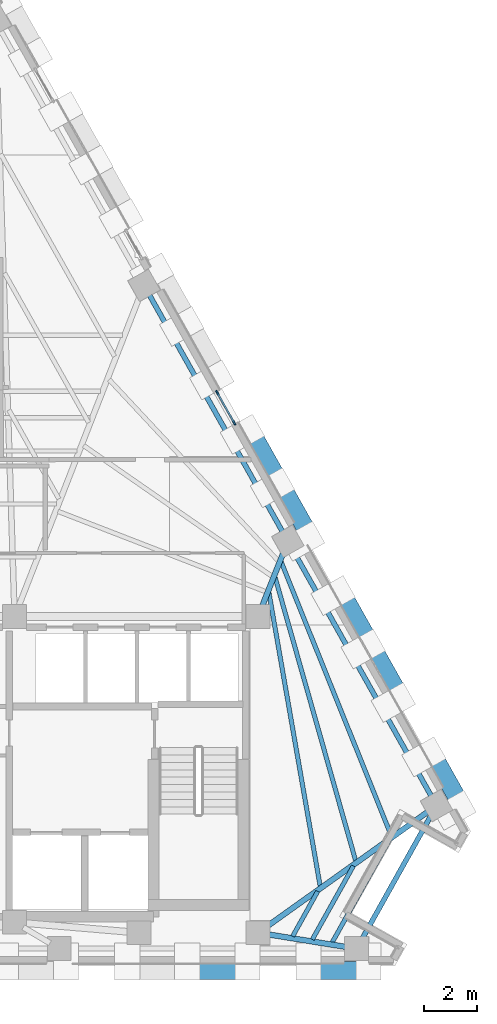
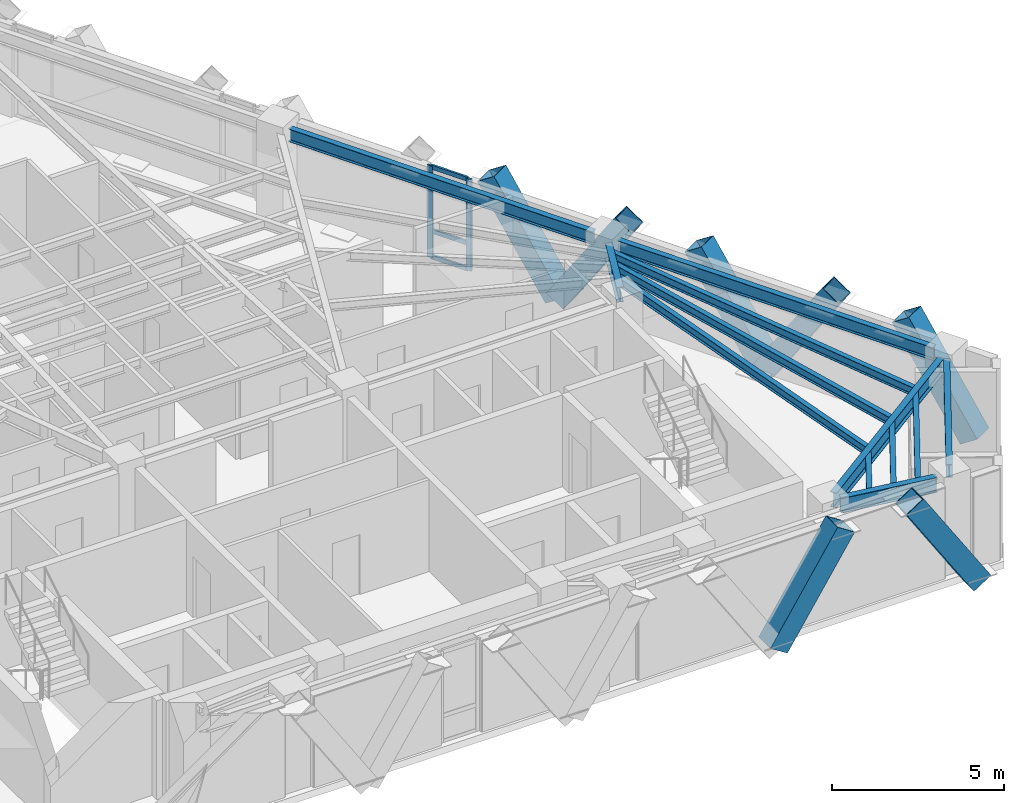
# One storey, part 4 of 12: 12 beams, 12 members, 1 element without a shape of its own.
"""IFC4 building model written with IfcOpenShell, lengths in metres."""

import ifcopenshell
import ifcopenshell.guid

model = None  # the IFC model being written
_history = None  # IfcOwnerHistory: only IFC2X3 demands one
_inside = {}  # id of a spatial element -> (the spatial element, [elements in it])
_under = {}  # id of a project, library or spatial element -> (it, [spatial elements below it])
_declared = {}  # id of a project -> (the project, [libraries it declares])
_typed = {}  # id of a type object -> (the type object, [elements of that type])
_made_of = {}  # id of a material, layer set ... -> (it, [elements and type objects made of it])


def new_model(schema):
    """Start an empty IFC model of exactly this schema.

    Asked for "IFC4X3", IfcOpenShell would pick the latest addendum, in which some entities
    have other attributes; the version numbers below select the first issue.
    IFC2X3 requires an IfcOwnerHistory on every rooted entity: one is made here for all.
    """
    global model, _history
    if schema == "IFC4X3":
        model = ifcopenshell.file(schema_version=(4, 3, 0, 0))
    else:
        model = ifcopenshell.file(schema=schema)
    _inside.clear()
    _under.clear()
    _declared.clear()
    _typed.clear()
    _made_of.clear()
    _history = None
    if model.schema == "IFC2X3":
        org = make("IfcOrganization", Name="unknown")
        user = make(
            "IfcPersonAndOrganization",
            ThePerson=make("IfcPerson", FamilyName="unknown"),
            TheOrganization=org,
        )
        app = make(
            "IfcApplication",
            ApplicationDeveloper=org,
            Version="unknown",
            ApplicationFullName="unknown",
            ApplicationIdentifier="unknown",
        )
        _history = make(
            "IfcOwnerHistory",
            OwningUser=user,
            OwningApplication=app,
            ChangeAction="ADDED",
            CreationDate=0,
        )
    return model


def make(cls, **values):
    """One entity of the class cls with the attributes given. An attribute that is None is left unset."""
    return model.create_entity(
        cls, **{name: value for name, value in values.items() if value is not None}
    )


def rooted(cls, **values):
    """An entity with a GlobalId (a new one), such as an element, a storey or a relation."""
    return make(cls, GlobalId=ifcopenshell.guid.new(), OwnerHistory=_history, **values)


def si_unit(unit_type, name, prefix=None):
    """IfcSIUnit, for example si_unit("LENGTHUNIT", "METRE", prefix="MILLI")."""
    return make("IfcSIUnit", UnitType=unit_type, Prefix=prefix, Name=name)


def assignment(units):
    """IfcUnitAssignment: the units of a project."""
    return None if units is None else make("IfcUnitAssignment", Units=units)


def point(xyz):
    """IfcCartesianPoint."""
    return None if xyz is None else make("IfcCartesianPoint", Coordinates=xyz)


def direction(xyz):
    """IfcDirection."""
    return None if xyz is None else make("IfcDirection", DirectionRatios=xyz)


def frame(location, z_axis=None, x_axis=None):
    """IfcAxis2Placement3D, a coordinate frame: its origin and axes. An axis left out is left unset."""
    return make(
        "IfcAxis2Placement3D",
        Location=point(location),
        Axis=direction(z_axis),
        RefDirection=direction(x_axis),
    )


def frame_2d(location, x_axis=None):
    """IfcAxis2Placement2D, a coordinate frame in the plane: its origin and x axis."""
    return make(
        "IfcAxis2Placement2D", Location=point(location), RefDirection=direction(x_axis)
    )


def origin():
    """The frame at (0, 0, 0) with its axes left unset."""
    return frame((0.0, 0.0, 0.0))


def origin_2d():
    """The frame at (0, 0) in the plane with its x axis left unset."""
    return frame_2d((0.0, 0.0))


def place(relative_to, where):
    """IfcLocalPlacement: puts the frame where relative to a parent placement (None: the world)."""
    return make(
        "IfcLocalPlacement", PlacementRelTo=relative_to, RelativePlacement=where
    )


def context(
    kind, dimensions, precision=None, world=None, true_north=None, identifier=None
):
    """IfcGeometricRepresentationContext, for example the 3D "Model" context."""
    return make(
        "IfcGeometricRepresentationContext",
        ContextIdentifier=identifier,
        ContextType=kind,
        CoordinateSpaceDimension=dimensions,
        Precision=precision,
        WorldCoordinateSystem=world,
        TrueNorth=true_north,
    )


def subcontext(parent, identifier, kind, view, scale=None):
    """IfcGeometricRepresentationSubContext, for example "Body" below "Model"."""
    return make(
        "IfcGeometricRepresentationSubContext",
        ContextIdentifier=identifier,
        ContextType=kind,
        ParentContext=parent,
        TargetScale=scale,
        TargetView=view,
    )


def project(units=None, contexts=None):
    """IfcProject with its units and contexts."""
    return rooted(
        "IfcProject",
        Name="project",
        RepresentationContexts=contexts,
        UnitsInContext=assignment(units),
    )


def spatial(cls, under=None, at=None, **own):
    """A site, building, storey or space (cls), placed at a placement, below another one or the project."""
    s = rooted(cls, ObjectPlacement=at, **own)
    if under is not None:
        _under.setdefault(under.id(), (under, []))[1].append(s)
    return s


def profile(cls, at=None, kind="AREA", **sizes):
    """A parametric profile (cls). Its sizes go by their IFC names, for example OverallWidth=200.0."""
    return make(cls, ProfileType=kind, Position=at, **sizes)


def rectangle(**sizes):
    """IfcRectangleProfileDef."""
    return profile("IfcRectangleProfileDef", **sizes)


def hollow_rectangle(**sizes):
    """IfcRectangleHollowProfileDef."""
    return profile("IfcRectangleHollowProfileDef", **sizes)


def i_section(**sizes):
    """IfcIShapeProfileDef."""
    return profile("IfcIShapeProfileDef", **sizes)


def extrude(swept, where, along, depth):
    """IfcExtrudedAreaSolid: the profile swept, set in the frame where, extruded along a direction by depth."""
    return make(
        "IfcExtrudedAreaSolid",
        SweptArea=swept,
        Position=where,
        ExtrudedDirection=direction(along),
        Depth=depth,
    )


def shape(context_of_items, identifier, shape_type, items):
    """IfcShapeRepresentation: the items that make up one representation, for example the "Body"."""
    return make(
        "IfcShapeRepresentation",
        ContextOfItems=context_of_items,
        RepresentationIdentifier=identifier,
        RepresentationType=shape_type,
        Items=items,
    )


def material(Name=None, Category=None):
    """IfcMaterial."""
    return make("IfcMaterial", Name=Name, Category=Category)


def material_profile(
    of_material, cross_section, Name=None, Category=None, Priority=None
):
    """IfcMaterialProfile: a cross section and its material."""
    return make(
        "IfcMaterialProfile",
        Name=Name,
        Material=of_material,
        Profile=cross_section,
        Priority=Priority,
        Category=Category,
    )


def profile_set(profiles, Name=None, composite=None):
    """IfcMaterialProfileSet."""
    return make(
        "IfcMaterialProfileSet",
        Name=Name,
        MaterialProfiles=profiles,
        CompositeProfile=composite,
    )


def made_of(thing, what):
    """Note that an element or type object is made of a material, layer set ...; save() writes the relation."""
    if what is not None:
        _made_of.setdefault(what.id(), (what, []))[1].append(thing)
    return thing


def type_object(cls, material=None, **own):
    """A type object (cls), such as IfcWallType, which elements share."""
    return made_of(rooted(cls, **own), material)


def element(
    cls,
    number,
    at=None,
    inside=None,
    cuts=None,
    type_object=None,
    material=None,
    context=None,
    identifier="Body",
    shape_type=None,
    held_by="IfcProductDefinitionShape",
    body=None,
    shapes=None,
    **own,
):
    """One element of the class cls, such as IfcWall. Its Tag is "e" and its number.

    at: its placement. inside: the storey or other place that contains it. cuts: it is an
    opening in that element (IfcRelVoidsElement). A single representation is given by context,
    identifier, shape_type and body (its items); several are given by shapes. held_by: the class
    of the entity that holds the representations. save() writes the other relations.
    """
    e = rooted(cls, Tag="e%d" % number, ObjectPlacement=at, **own)
    if body is not None:
        shapes = [shape(context, identifier, shape_type, body)]
    if shapes is not None:
        e.Representation = make(held_by, Representations=shapes)
    if inside is not None:
        _inside.setdefault(inside.id(), (inside, []))[1].append(e)
    if cuts is not None:
        rooted(
            "IfcRelVoidsElement", RelatingBuildingElement=cuts, RelatedOpeningElement=e
        )
    if type_object is not None:
        _typed.setdefault(type_object.id(), (type_object, []))[1].append(e)
    return made_of(e, material)


def aggregate(whole, parts):
    """IfcRelAggregates: a whole, such as a stair, and the parts it consists of."""
    return rooted("IfcRelAggregates", RelatingObject=whole, RelatedObjects=parts)


def save(model, path):
    """Write the relations noted so far, then the file.

    IfcRelAggregates (storeys below a building ...), IfcRelContainedInSpatialStructure (elements
    in a storey), IfcRelDefinesByType, IfcRelAssociatesMaterial and IfcRelDeclares: one each for
    every whole, place, type object, material and project.
    """
    for whole, parts in _under.values():
        aggregate(whole, parts)
    for where, things in _inside.values():
        rooted(
            "IfcRelContainedInSpatialStructure",
            RelatedElements=things,
            RelatingStructure=where,
        )
    for kind, things in _typed.values():
        rooted("IfcRelDefinesByType", RelatedObjects=things, RelatingType=kind)
    for what, things in _made_of.values():
        rooted("IfcRelAssociatesMaterial", RelatedObjects=things, RelatingMaterial=what)
    for by, libraries in _declared.values():
        rooted("IfcRelDeclares", RelatingContext=by, RelatedDefinitions=libraries)
    model.write(path)


model = new_model("IFC4")

# Units and contexts
model_context = context("Model", 3, precision=1e-05, world=origin(), true_north=direction((0.0, 1.0)))
body_context = subcontext(model_context, "Body", "Model", "MODEL_VIEW")
ifc_project = project(units=[si_unit("LENGTHUNIT", "METRE"), si_unit("AREAUNIT", "SQUARE_METRE"), si_unit("VOLUMEUNIT", "CUBIC_METRE"), si_unit("PLANEANGLEUNIT", "RADIAN"), si_unit("MASSUNIT", "GRAM", prefix="KILO")], contexts=[model_context])

# Site, building, storey
site_placement = place(None, origin())
site = spatial("IfcSite", under=ifc_project, at=site_placement, CompositionType="ELEMENT")
building_placement = place(site_placement, origin())
building = spatial("IfcBuilding", under=site, at=building_placement, Name="Quenlor Broadcast Tower", CompositionType="ELEMENT")
storey_placement = place(building_placement, frame((0.0, 0.0, 221.89990234375)))
storey = spatial("IfcBuildingStorey", under=building, at=storey_placement, Name="L61", CompositionType="ELEMENT", Elevation=221.89990234375)

# Curtain wall, members
ifc_material_1 = material(Name="Architectural Terracotta and Low-E Glazing", Category="masonry")
curtain_wall_type = type_object("IfcCurtainWallType", Name="Unitised Terracotta Curtain Wall System Z4", PredefinedType="NOTDEFINED", material=ifc_material_1)
curtain_wall_placement = place(storey_placement, origin())
curtain_wall = element("IfcCurtainWall", 1, at=curtain_wall_placement, inside=storey, type_object=curtain_wall_type, Name="L61 Curtain Wall CW4 (L61-NE-G1)", PredefinedType="NOTDEFINED")
ifc_material_2 = material(Name="Aluminium 6063-T6", Category="aluminium")
ifc_material_profile_1 = material_profile(ifc_material_2, rectangle(XDim=0.068115234375, YDim=0.179931640625, at=origin_2d()))
ifc_profile_set_1 = profile_set([ifc_material_profile_1], Name="Aluminium 6063-T6 MULL68x180")
member_type_1 = type_object("IfcMemberType", Name="CW4 Aluminium Mullion MULL_CW4", PredefinedType="MULLION", material=ifc_profile_set_1)
member_1_placement = place(storey_placement, frame((11.408203125, 3.65966796875, 0.0), z_axis=(0.0, 0.0, 1.0), x_axis=(0.871560008943, 0.490288844266, 0.0)))
member_1 = element("IfcMember", 2, at=member_1_placement, type_object=member_type_1, Name="CW4 mullion 1", PredefinedType="MULLION", context=body_context, shape_type="SweptSolid", body=[
    extrude(rectangle(XDim=0.068115234375, YDim=0.179931640625, at=origin_2d()), origin(), (0.0, 0.0, 1.0), 3.25),
])
member_2_placement = place(storey_placement, frame((12.049560546875, 2.519775390625, 0.0), z_axis=(0.0, 0.0, 1.0), x_axis=(0.871560008943, 0.490288844266, 0.0)))
member_2 = element("IfcMember", 3, at=member_2_placement, type_object=member_type_1, Name="CW4 mullion 2", PredefinedType="MULLION", context=body_context, shape_type="SweptSolid", body=[
    extrude(rectangle(XDim=0.068115234375, YDim=0.179931640625, at=origin_2d()), origin(), (0.0, 0.0, 1.0), 3.25),
])
ifc_material_3 = material(Name="Aluminium 6063-T6", Category="aluminium")
ifc_material_profile_2 = material_profile(ifc_material_3, rectangle(XDim=0.068115234375, YDim=0.14990234375, at=origin_2d()))
ifc_profile_set_2 = profile_set([ifc_material_profile_2], Name="Aluminium 6063-T6 TRAN68x150")
member_type_2 = type_object("IfcMemberType", Name="CW4 Aluminium Transom TRAN_CW4", PredefinedType="USERDEFINED", material=ifc_profile_set_2)
member_3_placement = place(storey_placement, frame((11.425048828125, 3.630126953125, 0.0341796875), z_axis=(0.490233197009, -0.871591310506, 0.0), x_axis=(0.871591310506, 0.490233197009, 0.0)))
member_3 = element("IfcMember", 4, at=member_3_placement, type_object=member_type_2, Name="CW4 transom 1.1", ObjectType="TRANSOM", PredefinedType="USERDEFINED", context=body_context, shape_type="SweptSolid", body=[
    extrude(rectangle(XDim=0.068115234375, YDim=0.14990234375, at=origin_2d()), origin(), (0.0, 0.0, 1.0), 1.239990234375),
])
member_4_placement = place(storey_placement, frame((11.425048828125, 3.630126953125, 0.9501953125), z_axis=(0.490233197009, -0.871591310506, 0.0), x_axis=(0.871591310506, 0.490233197009, 0.0)))
member_4 = element("IfcMember", 5, at=member_4_placement, type_object=member_type_2, Name="CW4 transom 1.2", ObjectType="TRANSOM", PredefinedType="USERDEFINED", context=body_context, shape_type="SweptSolid", body=[
    extrude(rectangle(XDim=0.068115234375, YDim=0.14990234375, at=origin_2d()), origin(), (0.0, 0.0, 1.0), 1.239990234375),
])
member_5_placement = place(storey_placement, frame((11.425048828125, 3.630126953125, 3.216064453125), z_axis=(0.490233197009, -0.871591310506, 0.0), x_axis=(0.871591310506, 0.490233197009, 0.0)))
member_5 = element("IfcMember", 6, at=member_5_placement, type_object=member_type_2, Name="CW4 transom 1.3", ObjectType="TRANSOM", PredefinedType="USERDEFINED", context=body_context, shape_type="SweptSolid", body=[
    extrude(rectangle(XDim=0.068115234375, YDim=0.14990234375, at=origin_2d()), origin(), (0.0, 0.0, 1.0), 1.239990234375),
])
aggregate(curtain_wall, [member_1, member_2, member_3, member_4, member_5])

# Members
ifc_material_4 = material(Name="Steel S355", Category="steel")
ifc_material_profile_3 = material_profile(ifc_material_4, hollow_rectangle(XDim=0.679931640625, YDim=0.679931640625, WallThickness=0.02490234375, at=origin_2d()))
ifc_profile_set_3 = profile_set([ifc_material_profile_3], Name="Steel S355 RHS680x680x25")
member_type_3 = type_object("IfcMemberType", Name="Perimeter Diagonal Lattice Brace Z3-Z4 Steel S355 RHS680x25", PredefinedType="BRACE", material=ifc_profile_set_3)
for number, where, z_axis, x_axis, name in (
    (7, (17.1123046875, -18.169921875, -0.119873046875), (-0.541794306908, 0.0, 0.840511111766), (0.0, -1.0, 0.0), "L61 Perimeter Diamond Lattice S-C1S"),
    (8, (10.289306640625, -18.169921875, -0.119873046875), (0.541794306908, 0.0, 0.840511111766), (0.0, 1.0, 0.0), "L61 Perimeter Diamond Lattice S-C1B"),
):
    element("IfcMember", number, at=place(storey_placement, frame(where, z_axis=z_axis, x_axis=x_axis)), inside=storey, type_object=member_type_3, Name=name, PredefinedType="BRACE", context=body_context, shape_type="SweptSolid", body=[
        extrude(hollow_rectangle(XDim=0.679931640625, YDim=0.679931640625, WallThickness=0.02490234375, at=origin_2d()), origin(), (0.0, 0.0, 1.0), 4.1640625),
    ])
for number, where, z_axis, x_axis, name in (
    (9, (13.781005859375, 0.24755859375, -0.119873046875), (-0.269547055694, 0.479136497832, 0.835327840559), (-0.871550060774, -0.49030652817, 0.0), "L61 Perimeter Diamond Lattice NE-C3B"),
    (10, (13.794677734375, 0.22314453125, -0.119873046875), (0.269485495908, -0.479188912076, 0.835317636614), (0.871620820774, 0.490180726664, 0.0), "L61 Perimeter Diamond Lattice NE-C4S"),
    (11, (17.2099609375, -5.8486328125, -0.119873046875), (-0.269547055694, 0.479136497832, 0.835327840559), (-0.871550060774, -0.49030652817, 0.0), "L61 Perimeter Diamond Lattice NE-C4B"),
):
    element("IfcMember", number, at=place(storey_placement, frame(where, z_axis=z_axis, x_axis=x_axis)), inside=storey, type_object=member_type_3, Name=name, PredefinedType="BRACE", context=body_context, shape_type="SweptSolid", body=[
        extrude(hollow_rectangle(XDim=0.679931640625, YDim=0.679931640625, WallThickness=0.02490234375, at=origin_2d()), origin(), (0.0, 0.0, 1.0), 4.18994140625),
    ])
member_6_placement = place(storey_placement, frame((17.2236328125, -5.873046875, -0.119873046875), z_axis=(0.269539530269, -0.479181387144, 0.835304519224), x_axis=(0.871575537125, 0.490261239633, 0.0)))
element("IfcMember", 12, at=member_6_placement, inside=storey, type_object=member_type_3, Name="L61 Perimeter Diamond Lattice NE-C5S", PredefinedType="BRACE", context=body_context, shape_type="SweptSolid", body=[
    extrude(hollow_rectangle(XDim=0.679931640625, YDim=0.679931640625, WallThickness=0.02490234375, at=origin_2d()), origin(), (0.0, 0.0, 1.0), 4.190185546875),
])
member_7_placement = place(storey_placement, frame((20.63916015625, -11.94482421875, -0.119873046875), z_axis=(-0.269547055694, 0.479136497832, 0.835327840559), x_axis=(-0.871550060774, -0.49030652817, 0.0)))
element("IfcMember", 13, at=member_7_placement, inside=storey, type_object=member_type_3, Name="L61 Perimeter Diamond Lattice NE-C5B", PredefinedType="BRACE", context=body_context, shape_type="SweptSolid", body=[
    extrude(hollow_rectangle(XDim=0.679931640625, YDim=0.679931640625, WallThickness=0.02490234375, at=origin_2d()), origin(), (0.0, 0.0, 1.0), 4.18994140625),
])

# Beams
ifc_material_5 = material(Name="Steel S355", Category="steel")
ifc_material_profile_4 = material_profile(ifc_material_5, i_section(OverallWidth=0.18994140625, OverallDepth=0.453857421875, WebThickness=0.008544921875, FlangeThickness=0.0126953125, FilletRadius=0.011474609375, at=origin_2d()))
ifc_profile_set_4 = profile_set([ifc_material_profile_4], Name="Steel S355 460UB67.1")
beam_type_1 = type_object("IfcBeamType", Name="Perimeter Spandrel Beam Z4 Steel S355 460UB67.1", PredefinedType="SPANDREL", material=ifc_profile_set_4)
beam_1_placement = place(storey_placement, frame((16.875732421875, -16.991943359375, 3.023193359375), z_axis=(0.487647250206, 0.8730407547, 0.0), x_axis=(-0.8730407547, 0.487647250206, 0.0)))
element("IfcBeam", 14, at=beam_1_placement, inside=storey, type_object=beam_type_1, Name="L61 Spandrel Beam S4-NE1", PredefinedType="SPANDREL", context=body_context, shape_type="SweptSolid", body=[
    extrude(i_section(OverallWidth=0.18994140625, OverallDepth=0.453857421875, WebThickness=0.008544921875, FlangeThickness=0.0126953125, FilletRadius=0.011474609375, at=origin_2d()), origin(), (0.0, 0.0, 1.0), 5.37451171875),
])
beam_2_placement = place(storey_placement, frame((19.49560546875, -11.58447265625, 3.023193359375), z_axis=(-0.490272131974, 0.871569410093, 0.0), x_axis=(-0.871569410093, -0.490272131974, 0.0)))
element("IfcBeam", 15, at=beam_2_placement, inside=storey, type_object=beam_type_1, Name="L61 Spandrel Beam NE1-NE2", PredefinedType="SPANDREL", context=body_context, shape_type="SweptSolid", body=[
    extrude(i_section(OverallWidth=0.18994140625, OverallDepth=0.453857421875, WebThickness=0.008544921875, FlangeThickness=0.0126953125, FilletRadius=0.011474609375, at=origin_2d()), origin(), (0.0, 0.0, 1.0), 10.6416015625),
])
beam_3_placement = place(storey_placement, frame((13.87646484375, -1.594970703125, 3.023193359375), z_axis=(-0.490263496537, 0.871574267612, 0.0), x_axis=(-0.871574267612, -0.490263496537, 0.0)))
element("IfcBeam", 16, at=beam_3_placement, inside=storey, type_object=beam_type_1, Name="L61 Spandrel Beam NE2-NE3", PredefinedType="SPANDREL", context=body_context, shape_type="SweptSolid", body=[
    extrude(i_section(OverallWidth=0.18994140625, OverallDepth=0.453857421875, WebThickness=0.008544921875, FlangeThickness=0.0126953125, FilletRadius=0.011474609375, at=origin_2d()), origin(), (0.0, 0.0, 1.0), 10.271728515625),
])
ifc_material_6 = material(Name="Steel S355", Category="steel")
ifc_material_profile_5 = material_profile(ifc_material_6, i_section(OverallWidth=0.166015625, OverallDepth=0.30712890625, WebThickness=0.006591796875, FlangeThickness=0.01171875, FilletRadius=0.011474609375, at=origin_2d()))
ifc_profile_set_5 = profile_set([ifc_material_profile_5], Name="Steel S355 310UB46.2")
beam_type_2 = type_object("IfcBeamType", Name="Tower Composite Joist Z4-Z5 Steel S355 310UB46.2", PredefinedType="JOIST", material=ifc_profile_set_5)
beam_4_placement = place(storey_placement, frame((15.297607421875, -14.98828125, 3.096435546875), z_axis=(-0.172003691938, 0.985096304916, 0.0), x_axis=(-0.985096304916, -0.172003691938, 0.0)))
element("IfcBeam", 17, at=beam_4_placement, inside=storey, type_object=beam_type_2, Name="L61 Secondary Composite Joist 16", PredefinedType="JOIST", context=body_context, shape_type="SweptSolid", body=[
    extrude(i_section(OverallWidth=0.166015625, OverallDepth=0.30712890625, WebThickness=0.006591796875, FlangeThickness=0.01171875, FilletRadius=0.011474609375, at=origin_2d()), origin(), (0.0, 0.0, 1.0), 11.274169921875),
])
beam_5_placement = place(storey_placement, frame((16.638671875, -14.028564453125, 3.096435546875), z_axis=(-0.273447576454, 0.961886907558, 0.0), x_axis=(-0.961886907558, -0.273447576454, 0.0)))
element("IfcBeam", 18, at=beam_5_placement, inside=storey, type_object=beam_type_2, Name="L61 Secondary Composite Joist 17", PredefinedType="JOIST", context=body_context, shape_type="SweptSolid", body=[
    extrude(i_section(OverallWidth=0.166015625, OverallDepth=0.30712890625, WebThickness=0.006591796875, FlangeThickness=0.01171875, FilletRadius=0.011474609375, at=origin_2d()), origin(), (0.0, 0.0, 1.0), 11.142333984375),
])
beam_6_placement = place(storey_placement, frame((17.97998046875, -13.069580078125, 3.096435546875), z_axis=(-0.373094895103, 0.927793187757, 0.0), x_axis=(-0.927793187757, -0.373094895103, 0.0)))
element("IfcBeam", 19, at=beam_6_placement, inside=storey, type_object=beam_type_2, Name="L61 Secondary Composite Joist 18", PredefinedType="JOIST", context=body_context, shape_type="SweptSolid", body=[
    extrude(i_section(OverallWidth=0.166015625, OverallDepth=0.30712890625, WebThickness=0.006591796875, FlangeThickness=0.01171875, FilletRadius=0.011474609375, at=origin_2d()), origin(), (0.0, 0.0, 1.0), 11.13525390625),
])
beam_7_placement = place(storey_placement, frame((14.255859375, -16.88427734375, 3.096435546875), z_axis=(0.487590799665, 0.873072283423, 0.0), x_axis=(-0.873072283423, 0.487590799665, 0.0)))
element("IfcBeam", 20, at=beam_7_placement, inside=storey, type_object=beam_type_2, Name="L61 Secondary Composite Joist 22", PredefinedType="JOIST", context=body_context, shape_type="SweptSolid", body=[
    extrude(i_section(OverallWidth=0.166015625, OverallDepth=0.30712890625, WebThickness=0.006591796875, FlangeThickness=0.01171875, FilletRadius=0.011474609375, at=origin_2d()), origin(), (0.0, 0.0, 1.0), 1.9462890625),
])
beam_8_placement = place(storey_placement, frame((15.0009765625, -17.004150390625, 3.096435546875), z_axis=(0.487646119388, 0.87304138633, 0.0), x_axis=(-0.87304138633, 0.487646119388, 0.0)))
element("IfcBeam", 21, at=beam_8_placement, inside=storey, type_object=beam_type_2, Name="L61 Secondary Composite Joist 23", PredefinedType="JOIST", context=body_context, shape_type="SweptSolid", body=[
    extrude(i_section(OverallWidth=0.166015625, OverallDepth=0.30712890625, WebThickness=0.006591796875, FlangeThickness=0.01171875, FilletRadius=0.011474609375, at=origin_2d()), origin(), (0.0, 0.0, 1.0), 3.18505859375),
])
beam_9_placement = place(storey_placement, frame((15.74609375, -17.124267578125, 3.096435546875), z_axis=(0.487604899573, 0.873064408799, 0.0), x_axis=(-0.873064408799, 0.487604899573, 0.0)))
element("IfcBeam", 22, at=beam_9_placement, inside=storey, type_object=beam_type_2, Name="L61 Secondary Composite Joist 24", PredefinedType="JOIST", context=body_context, shape_type="SweptSolid", body=[
    extrude(i_section(OverallWidth=0.166015625, OverallDepth=0.30712890625, WebThickness=0.006591796875, FlangeThickness=0.01171875, FilletRadius=0.011474609375, at=origin_2d()), origin(), (0.0, 0.0, 1.0), 4.424072265625),
])
ifc_material_7 = material(Name="Steel S355", Category="steel")
ifc_material_profile_6 = material_profile(ifc_material_7, i_section(OverallWidth=0.208984375, OverallDepth=0.5283203125, WebThickness=0.009521484375, FlangeThickness=0.01318359375, FilletRadius=0.013916015625, at=origin_2d()))
ifc_profile_set_6 = profile_set([ifc_material_profile_6], Name="Steel S355 530UB82.0")
beam_type_3 = type_object("IfcBeamType", Name="Tower Primary Floor Beam Z4 Steel S355 530UB82.0", PredefinedType="BEAM", material=ifc_profile_set_6)
beam_10_placement = place(storey_placement, frame((16.27099609375, -17.284912109375, 2.986083984375), z_axis=(-0.987268490875, 0.159062650942, 0.0), x_axis=(-0.159062650942, -0.987268490875, 0.0)))
element("IfcBeam", 23, at=beam_10_placement, inside=storey, type_object=beam_type_3, Name="L61 Primary Radial Beam S4", PredefinedType="BEAM", context=body_context, shape_type="SweptSolid", body=[
    extrude(i_section(OverallWidth=0.208984375, OverallDepth=0.5283203125, WebThickness=0.009521484375, FlangeThickness=0.01318359375, FilletRadius=0.013916015625, at=origin_2d()), origin(), (0.0, 0.0, 1.0), 2.98388671875),
])
beam_11_placement = place(storey_placement, frame((19.362548828125, -12.1796875, 2.986083984375), z_axis=(-0.814329531787, -0.580402802938, 0.0), x_axis=(0.580402802938, -0.814329531787, 0.0)))
element("IfcBeam", 24, at=beam_11_placement, inside=storey, type_object=beam_type_3, Name="L61 Primary Radial Beam NE1", PredefinedType="BEAM", context=body_context, shape_type="SweptSolid", body=[
    extrude(i_section(OverallWidth=0.208984375, OverallDepth=0.5283203125, WebThickness=0.009521484375, FlangeThickness=0.01318359375, FilletRadius=0.013916015625, at=origin_2d()), origin(), (0.0, 0.0, 1.0), 7.49462890625),
])
beam_12_placement = place(storey_placement, frame((13.926513671875, -2.33349609375, 2.986083984375), z_axis=(-0.368110359783, -0.92978210513, 0.0), x_axis=(0.92978210513, -0.368110359783, 0.0)))
element("IfcBeam", 25, at=beam_12_placement, inside=storey, type_object=beam_type_3, Name="L61 Primary Radial Beam NE2", PredefinedType="BEAM", context=body_context, shape_type="SweptSolid", body=[
    extrude(i_section(OverallWidth=0.208984375, OverallDepth=0.5283203125, WebThickness=0.009521484375, FlangeThickness=0.01318359375, FilletRadius=0.013916015625, at=origin_2d()), origin(), (0.0, 0.0, 1.0), 2.27294921875),
])

save(model, "model.ifc")
